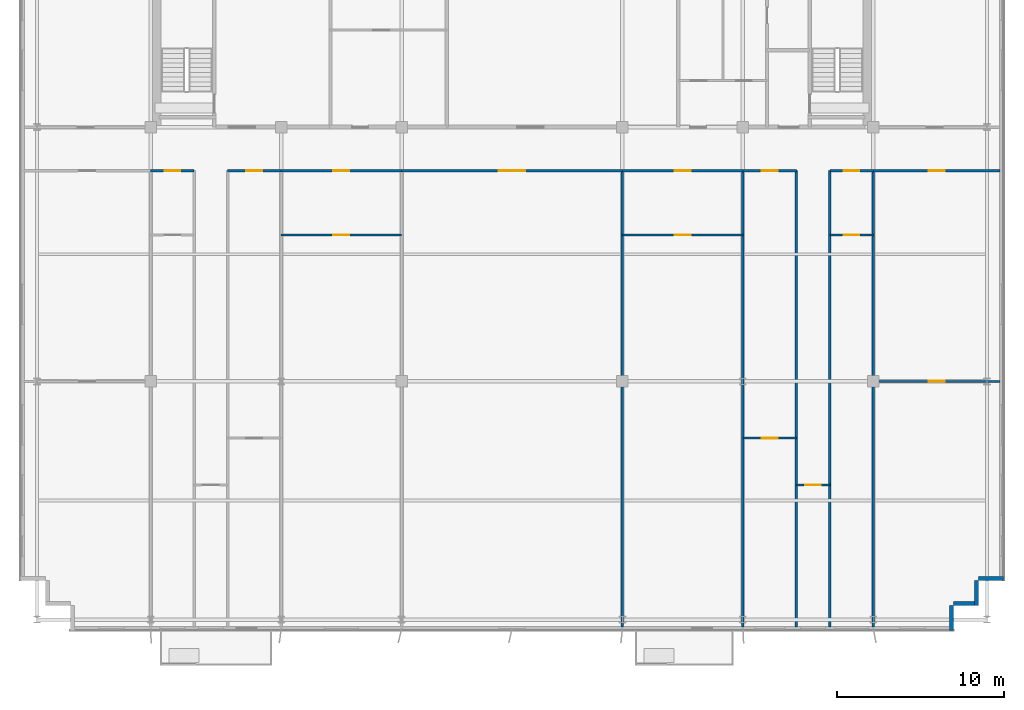
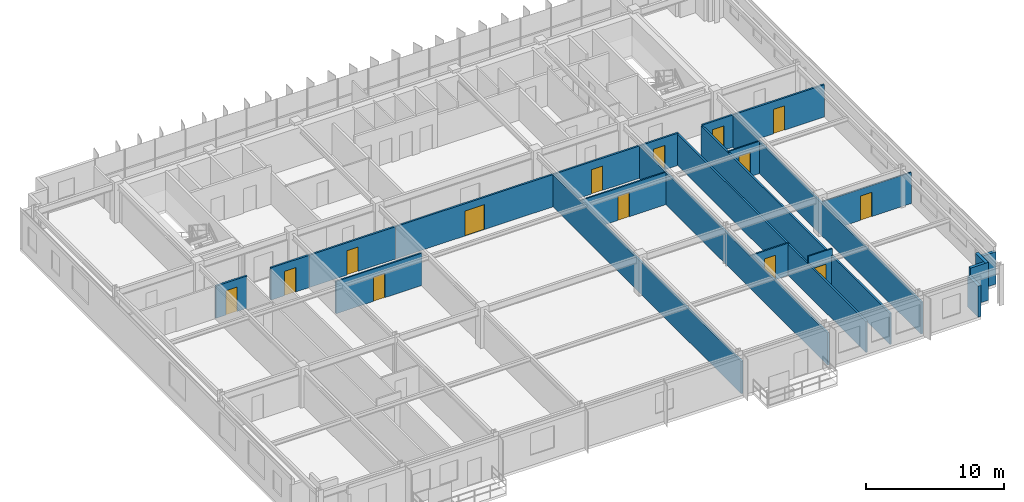
# One storey, part 15 of 20: 23 walls, 14 doors, 14 openings.
"""IFC4 building model written with IfcOpenShell, lengths in metres."""

from ifc_helpers import new_model, si_unit, direction, frame, frame_2d, origin, place, context, subcontext, project, spatial, rectangle, extrude, source, transform, mapped, material, layer, layer_set, type_object, element, fill, save


model = new_model("IFC4")

# Units and contexts
model_context = context("Model", 3, precision=1e-05, world=origin(), true_north=direction((0.0, 1.0)))
body_context = subcontext(model_context, "Body", "Model", "MODEL_VIEW")
ifc_project = project(units=[si_unit("LENGTHUNIT", "METRE"), si_unit("AREAUNIT", "SQUARE_METRE"), si_unit("VOLUMEUNIT", "CUBIC_METRE"), si_unit("PLANEANGLEUNIT", "RADIAN"), si_unit("MASSUNIT", "GRAM", prefix="KILO")], contexts=[model_context])

# Site, building, storey
site_placement = place(None, origin())
site = spatial("IfcSite", under=ifc_project, at=site_placement, CompositionType="ELEMENT")
building_placement = place(site_placement, origin())
building = spatial("IfcBuilding", under=site, at=building_placement, Name="Trelvane Seafront Commons", CompositionType="ELEMENT")
storey_placement = place(building_placement, frame((0.0, 0.0, 142.89990234375)))
storey = spatial("IfcBuildingStorey", under=building, at=storey_placement, Name="L37", CompositionType="ELEMENT", Elevation=142.89990234375)

# Walls
ifc_material_1 = material(Name="Precast concrete C40/50", Category="concrete")
ifc_layer_1 = layer(ifc_material_1, 0.239990234375, Name="ARCH-WALL-EXT240")
ifc_layer_set_1 = layer_set([ifc_layer_1], Name="Precast concrete C40/50")
wall_type_1 = type_object("IfcWallType", Name="ARCH-WALL-EXT240", PredefinedType="SOLIDWALL", material=ifc_layer_set_1)
wall_1_placement = place(storey_placement, frame((66.60009765625, 6.419921875, 0.0), z_axis=(0.0, 0.0, 1.0), x_axis=(-1.0, 0.0, 0.0)))
element("IfcWall", 1, at=wall_1_placement, inside=storey, type_object=wall_type_1, Name="EW-L37-00731", PredefinedType="SOLIDWALL", context=body_context, shape_type="SweptSolid", body=[
    extrude(rectangle(XDim=1.5, YDim=0.239990234375, at=frame_2d((0.75, 0.0))), origin(), (0.0, 0.0, 1.0), 2.85009765625),
])
for number, where, z_axis, x_axis, name in (
    (2, (64.97998046875, 6.300048828125, 0.0), (0.0, 0.0, 1.0), (0.0, -1.0, 0.0), "EW-L37-00732"),
    (3, (65.10009765625, 4.919921875, 0.0), (0.0, 0.0, 1.0), (-1.0, 0.0, 0.0), "EW-L37-00733"),
):
    element("IfcWall", number, at=place(storey_placement, frame(where, z_axis=z_axis, x_axis=x_axis)), inside=storey, type_object=wall_type_1, Name=name, PredefinedType="SOLIDWALL", context=body_context, shape_type="SweptSolid", body=[
        extrude(rectangle(XDim=1.5, YDim=0.239990234375, at=frame_2d((0.75, 0.0))), origin(), (0.0, 0.0, 1.0), 3.35009765625),
    ])
wall_2_placement = place(storey_placement, frame((63.47998046875, 4.800048828125, 0.0), z_axis=(0.0, 0.0, 1.0), x_axis=(0.0, -1.0, 0.0)))
element("IfcWall", 4, at=wall_2_placement, inside=storey, type_object=wall_type_1, Name="EW-L37-00734", PredefinedType="SOLIDWALL", context=body_context, shape_type="SweptSolid", body=[
    extrude(rectangle(XDim=1.5, YDim=0.239990234375, at=frame_2d((0.75, 0.0))), origin(), (0.0, 0.0, 1.0), 2.75),
])

# Wall, opening, door
ifc_material_2 = material(Name="Gypsum Drywall Acoustic Partition")
ifc_layer_2 = layer(ifc_material_2, 0.1201171875, Name="ARCH-WALL-PART120")
ifc_layer_set_2 = layer_set([ifc_layer_2], Name="Gypsum Drywall Acoustic Partition")
wall_type_2 = type_object("IfcWallType", Name="ARCH-WALL-PART120", PredefinedType="PARTITIONING", material=ifc_layer_set_2)
wall_3_placement = place(storey_placement, frame((23.39990234375, 26.949951171875, 0.0), z_axis=(0.0, 0.0, 1.0), x_axis=(1.0, 0.0, 0.0)))
wall_3 = element("IfcWall", 5, at=wall_3_placement, inside=storey, type_object=wall_type_2, Name="W-L37-U5-DIV-057", PredefinedType="PARTITIONING", context=body_context, shape_type="SweptSolid", body=[
    extrude(rectangle(XDim=7.2001953125, YDim=0.1201171875, at=frame_2d((3.60009765625, 0.0))), origin(), (0.0, 0.0, 1.0), 2.85009765625),
])
opening_1_placement = place(wall_3_placement, frame((3.125, 0.0, 0.0)))
opening_1 = element("IfcOpeningElement", 6, at=opening_1_placement, cuts=wall_3, Name="Opening D-L37-33", PredefinedType="OPENING", context=body_context, shape_type="SweptSolid", body=[
    extrude(rectangle(XDim=0.949951171875, YDim=2.14990234375, at=frame_2d((0.47509765625, 1.074951171875))), frame((0.0, 0.070068359375, 0.0), z_axis=(0.0, -1.0, 0.0), x_axis=(1.0, 0.0, 0.0)), (0.0, 0.0, 1.0), 0.14013671875),
])
ifc_material_3 = material(Name="Acoustic timber door leaf", Category="wood")
door_type_1 = type_object("IfcDoorType", Name="ARCH-DR-INT950", OperationType="NOTDEFINED", PredefinedType="DOOR", material=ifc_material_3)
shared_shape_1 = source(origin(), body_context, "Body", "SweptSolid", [
    extrude(rectangle(XDim=0.949951171875, YDim=2.14990234375, at=frame_2d((0.47509765625, 1.074951171875))), frame((0.0, 0.02490234375, 0.0), z_axis=(0.0, -1.0, 0.0), x_axis=(1.0, 0.0, 0.0)), (0.0, 0.0, 1.0), 0.050048828125),
])
door_1_placement = place(opening_1_placement, origin())
door_1 = element("IfcDoor", 7, at=door_1_placement, inside=storey, type_object=door_type_1, Name="L37 Door 33", OperationType="SINGLE_SWING_LEFT", OverallHeight=2.14990234375, OverallWidth=0.949951171875, PredefinedType="DOOR", context=body_context, shape_type="MappedRepresentation", body=[
    mapped(shared_shape_1, transform((0.0, 0.0, 0.0), x_axis=(1.0, 0.0, 0.0), y_axis=(0.0, 1.0, 0.0), z_axis=(0.0, 0.0, 1.0), scale=1.0)),
])
fill(opening_1, door_1)

wall_4_placement = place(storey_placement, frame((43.800048828125, 26.949951171875, 0.0), z_axis=(0.0, 0.0, 1.0), x_axis=(1.0, 0.0, 0.0)))
wall_4 = element("IfcWall", 8, at=wall_4_placement, inside=storey, type_object=wall_type_2, Name="W-L37-U7-DIV-060", PredefinedType="PARTITIONING", context=body_context, shape_type="SweptSolid", body=[
    extrude(rectangle(XDim=7.199951171875, YDim=0.1201171875, at=frame_2d((3.60009765625, 0.0))), origin(), (0.0, 0.0, 1.0), 2.85009765625),
])
opening_2_placement = place(wall_4_placement, frame((3.125, 0.0, 0.0)))
opening_2 = element("IfcOpeningElement", 9, at=opening_2_placement, cuts=wall_4, Name="Opening D-L37-36", PredefinedType="OPENING", context=body_context, shape_type="SweptSolid", body=[
    extrude(rectangle(XDim=0.949951171875, YDim=2.14990234375, at=frame_2d((0.47509765625, 1.074951171875))), frame((0.0, 0.070068359375, 0.0), z_axis=(0.0, -1.0, 0.0), x_axis=(1.0, 0.0, 0.0)), (0.0, 0.0, 1.0), 0.14013671875),
])
door_2_placement = place(opening_2_placement, origin())
door_2 = element("IfcDoor", 10, at=door_2_placement, inside=storey, type_object=door_type_1, Name="L37 Door 36", OperationType="SINGLE_SWING_RIGHT", OverallHeight=2.14990234375, OverallWidth=0.949951171875, PredefinedType="DOOR", context=body_context, shape_type="MappedRepresentation", body=[
    mapped(shared_shape_1, transform((0.0, 0.0, 0.0), x_axis=(1.0, 0.0, 0.0), y_axis=(0.0, 1.0, 0.0), z_axis=(0.0, 0.0, 1.0), scale=1.0)),
])
fill(opening_2, door_2)

wall_5_placement = place(storey_placement, frame((51.0, 14.800048828125, 0.0), z_axis=(0.0, 0.0, 1.0), x_axis=(1.0, 0.0, 0.0)))
wall_5 = element("IfcWall", 11, at=wall_5_placement, inside=storey, type_object=wall_type_2, Name="W-L37-U8-DIV-062", PredefinedType="PARTITIONING", context=body_context, shape_type="SweptSolid", body=[
    extrude(rectangle(XDim=3.199951171875, YDim=0.1201171875, at=frame_2d((1.60009765625, 0.0))), origin(), (0.0, 0.0, 1.0), 2.85009765625),
])
opening_3_placement = place(wall_5_placement, frame((1.125, 0.0, 0.0)))
opening_3 = element("IfcOpeningElement", 12, at=opening_3_placement, cuts=wall_5, Name="Opening D-L37-38", PredefinedType="OPENING", context=body_context, shape_type="SweptSolid", body=[
    extrude(rectangle(XDim=0.949951171875, YDim=2.14990234375, at=frame_2d((0.47509765625, 1.074951171875))), frame((0.0, 0.070068359375, 0.0), z_axis=(0.0, -1.0, 0.0), x_axis=(1.0, 0.0, 0.0)), (0.0, 0.0, 1.0), 0.14013671875),
])
door_3_placement = place(opening_3_placement, origin())
door_3 = element("IfcDoor", 13, at=door_3_placement, inside=storey, type_object=door_type_1, Name="L37 Door 38", OperationType="SINGLE_SWING_RIGHT", OverallHeight=2.14990234375, OverallWidth=0.949951171875, PredefinedType="DOOR", context=body_context, shape_type="MappedRepresentation", body=[
    mapped(shared_shape_1, transform((0.0, 0.0, 0.0), x_axis=(1.0, 0.0, 0.0), y_axis=(0.0, 1.0, 0.0), z_axis=(0.0, 0.0, 1.0), scale=1.0)),
])
fill(opening_3, door_3)

wall_6_placement = place(storey_placement, frame((54.199951171875, 12.0, 0.0), z_axis=(0.0, 0.0, 1.0), x_axis=(1.0, 0.0, 0.0)))
wall_6 = element("IfcWall", 14, at=wall_6_placement, inside=storey, type_object=wall_type_2, Name="W-L37-ARM-END-9-065", PredefinedType="PARTITIONING", context=body_context, shape_type="SweptSolid", body=[
    extrude(rectangle(XDim=2.0, YDim=0.1201171875, at=frame_2d((1.0, 0.0))), origin(), (0.0, 0.0, 1.0), 3.35009765625),
])
opening_4_placement = place(wall_6_placement, frame((0.52001953125, 0.0, 0.0)))
opening_4 = element("IfcOpeningElement", 15, at=opening_4_placement, cuts=wall_6, Name="Opening D-L37-39", PredefinedType="OPENING", context=body_context, shape_type="SweptSolid", body=[
    extrude(rectangle(XDim=0.949951171875, YDim=2.14990234375, at=frame_2d((0.47509765625, 1.074951171875))), frame((0.0, 0.070068359375, 0.0), z_axis=(0.0, -1.0, 0.0), x_axis=(1.0, 0.0, 0.0)), (0.0, 0.0, 1.0), 0.14013671875),
])
door_4_placement = place(opening_4_placement, origin())
door_4 = element("IfcDoor", 16, at=door_4_placement, inside=storey, type_object=door_type_1, Name="L37 Door 39", OperationType="SINGLE_SWING_LEFT", OverallHeight=2.14990234375, OverallWidth=0.949951171875, PredefinedType="DOOR", context=body_context, shape_type="MappedRepresentation", body=[
    mapped(shared_shape_1, transform((0.0, 0.0, 0.0), x_axis=(1.0, 0.0, 0.0), y_axis=(0.0, 1.0, 0.0), z_axis=(0.0, 0.0, 1.0), scale=1.0)),
])
fill(opening_4, door_4)

wall_7_placement = place(storey_placement, frame((56.199951171875, 26.949951171875, 0.0), z_axis=(0.0, 0.0, 1.0), x_axis=(1.0, 0.0, 0.0)))
wall_7 = element("IfcWall", 17, at=wall_7_placement, inside=storey, type_object=wall_type_2, Name="W-L37-U10-DIV-067", PredefinedType="PARTITIONING", context=body_context, shape_type="SweptSolid", body=[
    extrude(rectangle(XDim=2.60009765625, YDim=0.1201171875, at=frame_2d((1.300048828125, 0.0))), origin(), (0.0, 0.0, 1.0), 2.85009765625),
])
opening_5_placement = place(wall_7_placement, frame((0.824951171875, 0.0, 0.0)))
opening_5 = element("IfcOpeningElement", 18, at=opening_5_placement, cuts=wall_7, Name="Opening D-L37-41", PredefinedType="OPENING", context=body_context, shape_type="SweptSolid", body=[
    extrude(rectangle(XDim=0.949951171875, YDim=2.14990234375, at=frame_2d((0.47509765625, 1.074951171875))), frame((0.0, 0.070068359375, 0.0), z_axis=(0.0, -1.0, 0.0), x_axis=(1.0, 0.0, 0.0)), (0.0, 0.0, 1.0), 0.14013671875),
])
door_5_placement = place(opening_5_placement, origin())
door_5 = element("IfcDoor", 19, at=door_5_placement, inside=storey, type_object=door_type_1, Name="L37 Door 41", OperationType="SINGLE_SWING_LEFT", OverallHeight=2.14990234375, OverallWidth=0.949951171875, PredefinedType="DOOR", context=body_context, shape_type="MappedRepresentation", body=[
    mapped(shared_shape_1, transform((0.0, 0.0, 0.0), x_axis=(1.0, 0.0, 0.0), y_axis=(0.0, 1.0, 0.0), z_axis=(0.0, 0.0, 1.0), scale=1.0)),
])
fill(opening_5, door_5)

wall_8_placement = place(storey_placement, frame((58.800048828125, 18.199951171875, 0.0), z_axis=(0.0, 0.0, 1.0), x_axis=(1.0, 0.0, 0.0)))
wall_8 = element("IfcWall", 20, at=wall_8_placement, inside=storey, type_object=wall_type_2, Name="W-L37-U11-DIV-069", PredefinedType="PARTITIONING", context=body_context, shape_type="SweptSolid", body=[
    extrude(rectangle(XDim=7.574951171875, YDim=0.1201171875, at=frame_2d((3.78759765625, 0.0))), origin(), (0.0, 0.0, 1.0), 2.75),
])
opening_6_placement = place(wall_8_placement, frame((3.31298828125, 0.0, 0.0)))
opening_6 = element("IfcOpeningElement", 21, at=opening_6_placement, cuts=wall_8, Name="Opening D-L37-43", PredefinedType="OPENING", context=body_context, shape_type="SweptSolid", body=[
    extrude(rectangle(XDim=0.949951171875, YDim=2.14990234375, at=frame_2d((0.47509765625, 1.074951171875))), frame((0.0, 0.070068359375, 0.0), z_axis=(0.0, -1.0, 0.0), x_axis=(1.0, 0.0, 0.0)), (0.0, 0.0, 1.0), 0.14013671875),
])
door_6_placement = place(opening_6_placement, origin())
door_6 = element("IfcDoor", 22, at=door_6_placement, inside=storey, type_object=door_type_1, Name="L37 Door 43", OperationType="SINGLE_SWING_LEFT", OverallHeight=2.14990234375, OverallWidth=0.949951171875, PredefinedType="DOOR", context=body_context, shape_type="MappedRepresentation", body=[
    mapped(shared_shape_1, transform((0.0, 0.0, 0.0), x_axis=(1.0, 0.0, 0.0), y_axis=(0.0, 1.0, 0.0), z_axis=(0.0, 0.0, 1.0), scale=1.0)),
])
fill(opening_6, door_6)

# Walls
ifc_layer_3 = layer(ifc_material_2, 0.14990234375, Name="ARCH-WALL-PART150")
ifc_layer_set_3 = layer_set([ifc_layer_3], Name="Gypsum Drywall Acoustic Partition")
wall_type_3 = type_object("IfcWallType", Name="ARCH-WALL-PART150", PredefinedType="PARTITIONING", material=ifc_layer_set_3)
for number, where, z_axis, x_axis, name in (
    (23, (43.800048828125, 3.52490234375, 0.0), (0.0, 0.0, 1.0), (0.0, 1.0, 0.0), "W-L37-PW-6-044"),
    (24, (51.0, 3.52490234375, 0.0), (0.0, 0.0, 1.0), (0.0, 1.0, 0.0), "W-L37-PW-7-045"),
    (25, (58.800048828125, 3.52490234375, 0.0), (0.0, 0.0, 1.0), (0.0, 1.0, 0.0), "W-L37-PW-10-046"),
):
    element("IfcWall", number, at=place(storey_placement, frame(where, z_axis=z_axis, x_axis=x_axis)), inside=storey, type_object=wall_type_3, Name=name, PredefinedType="PARTITIONING", context=body_context, shape_type="SweptSolid", body=[
        extrude(rectangle(XDim=27.275146484375, YDim=0.14990234375, at=frame_2d((13.6376953125, 0.0))), origin(), (0.0, 0.0, 1.0), 2.85009765625),
    ])

# Wall, opening, door
wall_9_placement = place(storey_placement, frame((15.60009765625, 30.800048828125, 0.0), z_axis=(0.0, 0.0, 1.0), x_axis=(1.0, 0.0, 0.0)))
wall_9 = element("IfcWall", 26, at=wall_9_placement, inside=storey, type_object=wall_type_3, Name="W-L37-CS-BAY-2-049", PredefinedType="PARTITIONING", context=body_context, shape_type="SweptSolid", body=[
    extrude(rectangle(XDim=2.599853515625, YDim=0.14990234375, at=frame_2d((1.2998046875, 0.0))), origin(), (0.0, 0.0, 1.0), 2.85009765625),
])
opening_7_placement = place(wall_9_placement, frame((0.824951171875, 0.0, 0.0)))
opening_7 = element("IfcOpeningElement", 27, at=opening_7_placement, cuts=wall_9, Name="Opening FD-L37-27", PredefinedType="OPENING", context=body_context, shape_type="SweptSolid", body=[
    extrude(rectangle(XDim=0.949951171875, YDim=2.14990234375, at=frame_2d((0.47509765625, 1.074951171875))), frame((0.0, 0.0849609375, 0.0), z_axis=(0.0, -1.0, 0.0), x_axis=(1.0, 0.0, 0.0)), (0.0, 0.0, 1.0), 0.169921875),
])
ifc_material_4 = material(Name="Powder-coated aluminium frame", Category="aluminium")
door_type_2 = type_object("IfcDoorType", Name="ARCH-DR-FD60-950", OperationType="NOTDEFINED", PredefinedType="DOOR", material=ifc_material_4)
door_7_placement = place(opening_7_placement, origin())
door_7 = element("IfcDoor", 28, at=door_7_placement, inside=storey, type_object=door_type_2, Name="L37 Bay 02 Entrance Door", OperationType="SINGLE_SWING_LEFT", OverallHeight=2.14990234375, OverallWidth=0.949951171875, PredefinedType="DOOR", context=body_context, shape_type="MappedRepresentation", body=[
    mapped(shared_shape_1, transform((0.0, 0.0, 0.0), x_axis=(1.0, 0.0, 0.0), y_axis=(0.0, 1.0, 0.0), z_axis=(0.0, 0.0, 1.0), scale=1.0)),
])
fill(opening_7, door_7)

wall_10_placement = place(storey_placement, frame((20.199951171875, 30.800048828125, 0.0), z_axis=(0.0, 0.0, 1.0), x_axis=(1.0, 0.0, 0.0)))
wall_10 = element("IfcWall", 29, at=wall_10_placement, inside=storey, type_object=wall_type_3, Name="W-L37-CS-BAY-4-054", PredefinedType="PARTITIONING", context=body_context, shape_type="SweptSolid", body=[
    extrude(rectangle(XDim=3.199951171875, YDim=0.14990234375, at=frame_2d((1.60009765625, 0.0))), origin(), (0.0, 0.0, 1.0), 2.85009765625),
])
opening_8_placement = place(wall_10_placement, frame((1.125, 0.0, 0.0)))
opening_8 = element("IfcOpeningElement", 30, at=opening_8_placement, cuts=wall_10, Name="Opening FD-L37-30", PredefinedType="OPENING", context=body_context, shape_type="SweptSolid", body=[
    extrude(rectangle(XDim=0.949951171875, YDim=2.14990234375, at=frame_2d((0.47509765625, 1.074951171875))), frame((0.0, 0.0849609375, 0.0), z_axis=(0.0, -1.0, 0.0), x_axis=(1.0, 0.0, 0.0)), (0.0, 0.0, 1.0), 0.169921875),
])
door_8_placement = place(opening_8_placement, origin())
door_8 = element("IfcDoor", 31, at=door_8_placement, inside=storey, type_object=door_type_2, Name="L37 Bay 04 Entrance Door", OperationType="SINGLE_SWING_RIGHT", OverallHeight=2.14990234375, OverallWidth=0.949951171875, PredefinedType="DOOR", context=body_context, shape_type="MappedRepresentation", body=[
    mapped(shared_shape_1, transform((0.0, 0.0, 0.0), x_axis=(1.0, 0.0, 0.0), y_axis=(0.0, 1.0, 0.0), z_axis=(0.0, 0.0, 1.0), scale=1.0)),
])
fill(opening_8, door_8)

wall_11_placement = place(storey_placement, frame((23.39990234375, 30.800048828125, 0.0), z_axis=(0.0, 0.0, 1.0), x_axis=(1.0, 0.0, 0.0)))
wall_11 = element("IfcWall", 32, at=wall_11_placement, inside=storey, type_object=wall_type_3, Name="W-L37-CS-BAY-5-056", PredefinedType="PARTITIONING", context=body_context, shape_type="SweptSolid", body=[
    extrude(rectangle(XDim=7.2001953125, YDim=0.14990234375, at=frame_2d((3.60009765625, 0.0))), origin(), (0.0, 0.0, 1.0), 2.85009765625),
])
opening_9_placement = place(wall_11_placement, frame((3.125, 0.0, 0.0)))
opening_9 = element("IfcOpeningElement", 33, at=opening_9_placement, cuts=wall_11, Name="Opening FD-L37-32", PredefinedType="OPENING", context=body_context, shape_type="SweptSolid", body=[
    extrude(rectangle(XDim=0.949951171875, YDim=2.14990234375, at=frame_2d((0.47509765625, 1.074951171875))), frame((0.0, 0.0849609375, 0.0), z_axis=(0.0, -1.0, 0.0), x_axis=(1.0, 0.0, 0.0)), (0.0, 0.0, 1.0), 0.169921875),
])
door_9_placement = place(opening_9_placement, origin())
door_9 = element("IfcDoor", 34, at=door_9_placement, inside=storey, type_object=door_type_2, Name="L37 Bay 05 Entrance Door", OperationType="SINGLE_SWING_RIGHT", OverallHeight=2.14990234375, OverallWidth=0.949951171875, PredefinedType="DOOR", context=body_context, shape_type="MappedRepresentation", body=[
    mapped(shared_shape_1, transform((0.0, 0.0, 0.0), x_axis=(1.0, 0.0, 0.0), y_axis=(0.0, 1.0, 0.0), z_axis=(0.0, 0.0, 1.0), scale=1.0)),
])
fill(opening_9, door_9)

wall_12_placement = place(storey_placement, frame((30.60009765625, 30.800048828125, 0.0), z_axis=(0.0, 0.0, 1.0), x_axis=(1.0, 0.0, 0.0)))
wall_12 = element("IfcWall", 35, at=wall_12_placement, inside=storey, type_object=wall_type_3, Name="W-L37-CS-BAY-6-058", PredefinedType="PARTITIONING", context=body_context, shape_type="SweptSolid", body=[
    extrude(rectangle(XDim=13.199951171875, YDim=0.14990234375, at=frame_2d((6.60009765625, 0.0))), origin(), (0.0, 0.0, 1.0), 2.85009765625),
])
opening_10_placement = place(wall_12_placement, frame((5.800048828125, 0.0, 0.0)))
opening_10 = element("IfcOpeningElement", 36, at=opening_10_placement, cuts=wall_12, Name="Opening D-L37-34", PredefinedType="OPENING", context=body_context, shape_type="SweptSolid", body=[
    extrude(rectangle(XDim=1.60009765625, YDim=2.199951171875, at=frame_2d((0.800048828125, 1.10009765625))), frame((0.0, 0.0849609375, 0.0), z_axis=(0.0, -1.0, 0.0), x_axis=(1.0, 0.0, 0.0)), (0.0, 0.0, 1.0), 0.169921875),
])
door_type_3 = type_object("IfcDoorType", Name="ARCH-DR-GLZ1600", OperationType="DOUBLE_DOOR_SINGLE_SWING", PredefinedType="DOOR", material=ifc_material_3)
shared_shape_2 = source(origin(), body_context, "Body", "SweptSolid", [
    extrude(rectangle(XDim=1.60009765625, YDim=2.199951171875, at=frame_2d((0.800048828125, 1.10009765625))), frame((0.0, 0.02490234375, 0.0), z_axis=(0.0, -1.0, 0.0), x_axis=(1.0, 0.0, 0.0)), (0.0, 0.0, 1.0), 0.050048828125),
])
door_10_placement = place(opening_10_placement, origin())
door_10 = element("IfcDoor", 37, at=door_10_placement, inside=storey, type_object=door_type_3, Name="L37 Commons Lounge 06 Door", OperationType="DOUBLE_DOOR_SINGLE_SWING", OverallHeight=2.199951171875, OverallWidth=1.60009765625, PredefinedType="DOOR", context=body_context, shape_type="MappedRepresentation", body=[
    mapped(shared_shape_2, transform((0.0, 0.0, 0.0), x_axis=(1.0, 0.0, 0.0), y_axis=(0.0, 1.0, 0.0), z_axis=(0.0, 0.0, 1.0), scale=1.0)),
])
fill(opening_10, door_10)

wall_13_placement = place(storey_placement, frame((43.800048828125, 30.800048828125, 0.0), z_axis=(0.0, 0.0, 1.0), x_axis=(1.0, 0.0, 0.0)))
wall_13 = element("IfcWall", 38, at=wall_13_placement, inside=storey, type_object=wall_type_3, Name="W-L37-CS-BAY-7-059", PredefinedType="PARTITIONING", context=body_context, shape_type="SweptSolid", body=[
    extrude(rectangle(XDim=7.199951171875, YDim=0.14990234375, at=frame_2d((3.60009765625, 0.0))), origin(), (0.0, 0.0, 1.0), 2.85009765625),
])
opening_11_placement = place(wall_13_placement, frame((3.125, 0.0, 0.0)))
opening_11 = element("IfcOpeningElement", 39, at=opening_11_placement, cuts=wall_13, Name="Opening FD-L37-35", PredefinedType="OPENING", context=body_context, shape_type="SweptSolid", body=[
    extrude(rectangle(XDim=0.949951171875, YDim=2.14990234375, at=frame_2d((0.47509765625, 1.074951171875))), frame((0.0, 0.0849609375, 0.0), z_axis=(0.0, -1.0, 0.0), x_axis=(1.0, 0.0, 0.0)), (0.0, 0.0, 1.0), 0.169921875),
])
door_11_placement = place(opening_11_placement, origin())
door_11 = element("IfcDoor", 40, at=door_11_placement, inside=storey, type_object=door_type_2, Name="L37 Bay 07 Entrance Door", OperationType="SINGLE_SWING_LEFT", OverallHeight=2.14990234375, OverallWidth=0.949951171875, PredefinedType="DOOR", context=body_context, shape_type="MappedRepresentation", body=[
    mapped(shared_shape_1, transform((0.0, 0.0, 0.0), x_axis=(1.0, 0.0, 0.0), y_axis=(0.0, 1.0, 0.0), z_axis=(0.0, 0.0, 1.0), scale=1.0)),
])
fill(opening_11, door_11)

wall_14_placement = place(storey_placement, frame((51.0, 30.800048828125, 0.0), z_axis=(0.0, 0.0, 1.0), x_axis=(1.0, 0.0, 0.0)))
wall_14 = element("IfcWall", 41, at=wall_14_placement, inside=storey, type_object=wall_type_3, Name="W-L37-CS-BAY-8-061", PredefinedType="PARTITIONING", context=body_context, shape_type="SweptSolid", body=[
    extrude(rectangle(XDim=3.199951171875, YDim=0.14990234375, at=frame_2d((1.60009765625, 0.0))), origin(), (0.0, 0.0, 1.0), 2.85009765625),
])
opening_12_placement = place(wall_14_placement, frame((1.125, 0.0, 0.0)))
opening_12 = element("IfcOpeningElement", 42, at=opening_12_placement, cuts=wall_14, Name="Opening FD-L37-37", PredefinedType="OPENING", context=body_context, shape_type="SweptSolid", body=[
    extrude(rectangle(XDim=0.949951171875, YDim=2.14990234375, at=frame_2d((0.47509765625, 1.074951171875))), frame((0.0, 0.0849609375, 0.0), z_axis=(0.0, -1.0, 0.0), x_axis=(1.0, 0.0, 0.0)), (0.0, 0.0, 1.0), 0.169921875),
])
door_12_placement = place(opening_12_placement, origin())
door_12 = element("IfcDoor", 43, at=door_12_placement, inside=storey, type_object=door_type_2, Name="L37 Bay 08 Entrance Door", OperationType="SINGLE_SWING_LEFT", OverallHeight=2.14990234375, OverallWidth=0.949951171875, PredefinedType="DOOR", context=body_context, shape_type="MappedRepresentation", body=[
    mapped(shared_shape_1, transform((0.0, 0.0, 0.0), x_axis=(1.0, 0.0, 0.0), y_axis=(0.0, 1.0, 0.0), z_axis=(0.0, 0.0, 1.0), scale=1.0)),
])
fill(opening_12, door_12)

# Walls
for number, where, z_axis, x_axis, name in (
    (44, (54.199951171875, 3.52490234375, 0.0), (0.0, 0.0, 1.0), (0.0, 1.0, 0.0), "W-L37-ARM-W-9-063"),
    (45, (56.199951171875, 3.52490234375, 0.0), (0.0, 0.0, 1.0), (0.0, 1.0, 0.0), "W-L37-ARM-E-9-064"),
):
    element("IfcWall", number, at=place(storey_placement, frame(where, z_axis=z_axis, x_axis=x_axis)), inside=storey, type_object=wall_type_3, Name=name, PredefinedType="PARTITIONING", context=body_context, shape_type="SweptSolid", body=[
        extrude(rectangle(XDim=27.275146484375, YDim=0.14990234375, at=frame_2d((13.6376953125, 0.0))), origin(), (0.0, 0.0, 1.0), 2.75),
    ])

# Wall, opening, door
wall_15_placement = place(storey_placement, frame((56.199951171875, 30.800048828125, 0.0), z_axis=(0.0, 0.0, 1.0), x_axis=(1.0, 0.0, 0.0)))
wall_15 = element("IfcWall", 46, at=wall_15_placement, inside=storey, type_object=wall_type_3, Name="W-L37-CS-BAY-10-066", PredefinedType="PARTITIONING", context=body_context, shape_type="SweptSolid", body=[
    extrude(rectangle(XDim=2.60009765625, YDim=0.14990234375, at=frame_2d((1.300048828125, 0.0))), origin(), (0.0, 0.0, 1.0), 2.85009765625),
])
opening_13_placement = place(wall_15_placement, frame((0.824951171875, 0.0, 0.0)))
opening_13 = element("IfcOpeningElement", 47, at=opening_13_placement, cuts=wall_15, Name="Opening FD-L37-40", PredefinedType="OPENING", context=body_context, shape_type="SweptSolid", body=[
    extrude(rectangle(XDim=0.949951171875, YDim=2.14990234375, at=frame_2d((0.47509765625, 1.074951171875))), frame((0.0, 0.0849609375, 0.0), z_axis=(0.0, -1.0, 0.0), x_axis=(1.0, 0.0, 0.0)), (0.0, 0.0, 1.0), 0.169921875),
])
door_13_placement = place(opening_13_placement, origin())
door_13 = element("IfcDoor", 48, at=door_13_placement, inside=storey, type_object=door_type_2, Name="L37 Bay 10 Entrance Door", OperationType="SINGLE_SWING_RIGHT", OverallHeight=2.14990234375, OverallWidth=0.949951171875, PredefinedType="DOOR", context=body_context, shape_type="MappedRepresentation", body=[
    mapped(shared_shape_1, transform((0.0, 0.0, 0.0), x_axis=(1.0, 0.0, 0.0), y_axis=(0.0, 1.0, 0.0), z_axis=(0.0, 0.0, 1.0), scale=1.0)),
])
fill(opening_13, door_13)

wall_16_placement = place(storey_placement, frame((58.800048828125, 30.800048828125, 0.0), z_axis=(0.0, 0.0, 1.0), x_axis=(1.0, 0.0, 0.0)))
wall_16 = element("IfcWall", 49, at=wall_16_placement, inside=storey, type_object=wall_type_3, Name="W-L37-CS-BAY-11-068", PredefinedType="PARTITIONING", context=body_context, shape_type="SweptSolid", body=[
    extrude(rectangle(XDim=7.574951171875, YDim=0.14990234375, at=frame_2d((3.78759765625, 0.0))), origin(), (0.0, 0.0, 1.0), 2.85009765625),
])
opening_14_placement = place(wall_16_placement, frame((3.31298828125, 0.0, 0.0)))
opening_14 = element("IfcOpeningElement", 50, at=opening_14_placement, cuts=wall_16, Name="Opening FD-L37-42", PredefinedType="OPENING", context=body_context, shape_type="SweptSolid", body=[
    extrude(rectangle(XDim=0.949951171875, YDim=2.14990234375, at=frame_2d((0.47509765625, 1.074951171875))), frame((0.0, 0.0849609375, 0.0), z_axis=(0.0, -1.0, 0.0), x_axis=(1.0, 0.0, 0.0)), (0.0, 0.0, 1.0), 0.169921875),
])
door_14_placement = place(opening_14_placement, origin())
door_14 = element("IfcDoor", 51, at=door_14_placement, inside=storey, type_object=door_type_2, Name="L37 Bay 11 Entrance Door", OperationType="SINGLE_SWING_RIGHT", OverallHeight=2.14990234375, OverallWidth=0.949951171875, PredefinedType="DOOR", context=body_context, shape_type="MappedRepresentation", body=[
    mapped(shared_shape_1, transform((0.0, 0.0, 0.0), x_axis=(1.0, 0.0, 0.0), y_axis=(0.0, 1.0, 0.0), z_axis=(0.0, 0.0, 1.0), scale=1.0)),
])
fill(opening_14, door_14)

save(model, "model.ifc")
